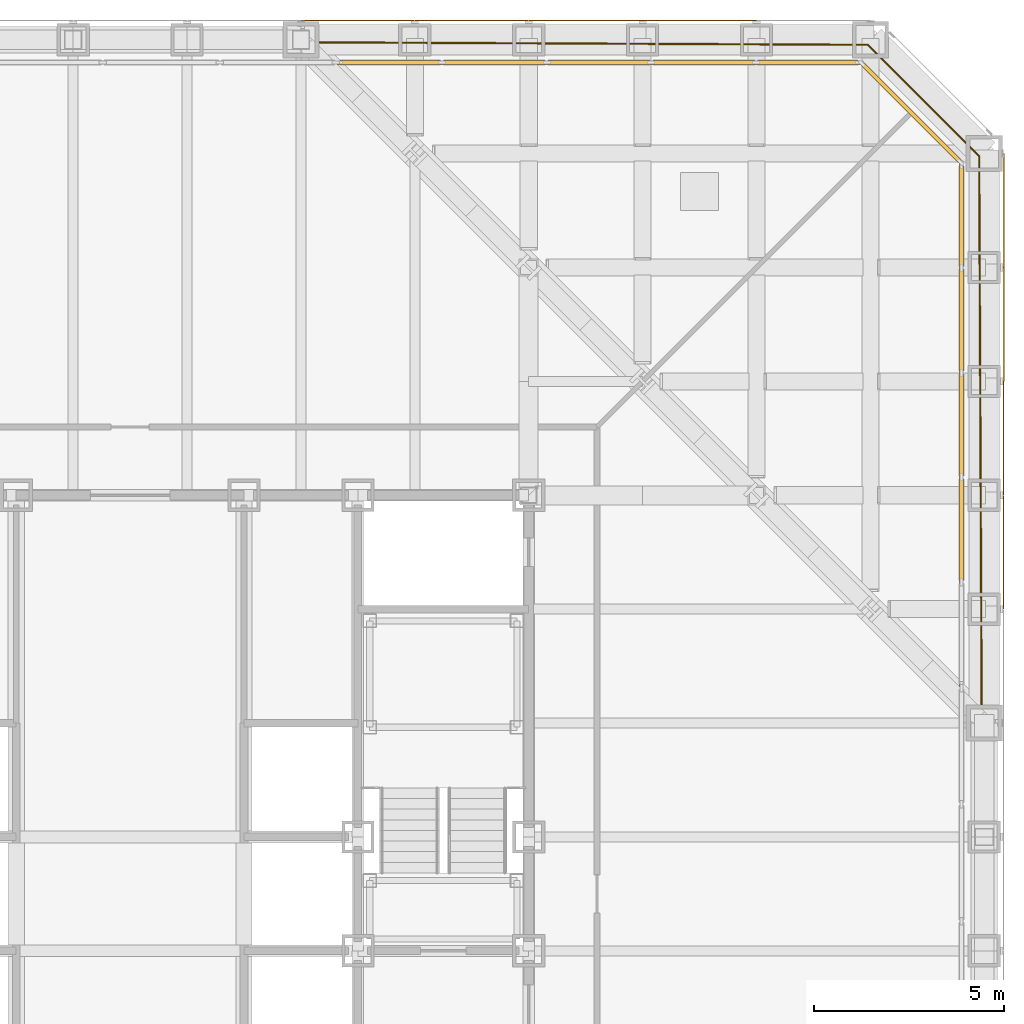
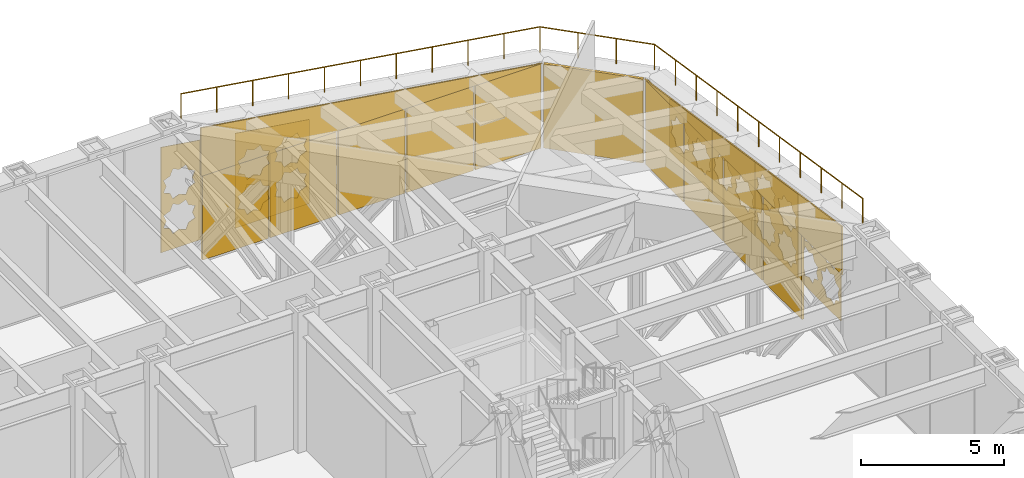
# One storey, part 30 of 31: 10 coverings, 10 shading devices, 1 railing, 3 elements without a shape of their own.
"""IFC4 building model written with IfcOpenShell, lengths in metres."""

from ifc_helpers import new_model, si_unit, direction, frame, origin, origin_2d, place, context, subcontext, project, spatial, polyline, rectangle, circle, outline, extrude, material, layer, layer_set, type_object, element, aggregate, save


model = new_model("IFC4")

# Units and contexts
model_context = context("Model", 3, precision=1e-05, world=origin(), true_north=direction((0.0, 1.0)))
body_context = subcontext(model_context, "Body", "Model", "MODEL_VIEW")
ifc_project = project(units=[si_unit("LENGTHUNIT", "METRE"), si_unit("AREAUNIT", "SQUARE_METRE"), si_unit("VOLUMEUNIT", "CUBIC_METRE"), si_unit("PLANEANGLEUNIT", "RADIAN"), si_unit("MASSUNIT", "GRAM", prefix="KILO")], contexts=[model_context])

# Site, building, storey
site_placement = place(None, origin())
site = spatial("IfcSite", under=ifc_project, at=site_placement, CompositionType="ELEMENT")
building_placement = place(site_placement, origin())
building = spatial("IfcBuilding", under=site, at=building_placement, Name="Chuquiago Exchange Tower", CompositionType="ELEMENT")
storey_placement = place(building_placement, frame((0.0, 0.0, 96.300048828125)))
storey = spatial("IfcBuildingStorey", under=building, at=storey_placement, Name="L20", CompositionType="ELEMENT", Elevation=96.300048828125)

# Curtain wall, shading devices
ifc_material_1 = material(Name="Aluminium curtain wall system", Category="aluminium")
ifc_layer_1 = layer(ifc_material_1, 0.199951171875)
ifc_layer_set_1 = layer_set([ifc_layer_1], Name="CW6 plant floor louvre wall")
curtain_wall_type = type_object("IfcCurtainWallType", Name="CW6 plant floor louvre wall", PredefinedType="NOTDEFINED", material=ifc_layer_set_1)
curtain_wall_1_placement = place(storey_placement, origin())
curtain_wall_1 = element("IfcCurtainWall", 1, at=curtain_wall_1_placement, inside=storey, type_object=curtain_wall_type, Name="CW6 curtain wall L20", PredefinedType="NOTDEFINED")
ifc_material_2 = material(Name="Aluminium louvre", Category="aluminium")
ifc_layer_2 = layer(ifc_material_2, 0.10009765625)
ifc_layer_set_2 = layer_set([ifc_layer_2], Name="CW6-P louvre panel 100")
shading_device_type = type_object("IfcShadingDeviceType", Name="CW6-P louvre panel 100", PredefinedType="USERDEFINED", material=ifc_layer_set_2)
shading_device_1_placement = place(storey_placement, frame((44.39990234375, 32.0927734375, 0.0751953125), z_axis=(0.0, 0.0, 1.0), x_axis=(0.0, 1.0, 0.0)))
shading_device_1 = element("IfcShadingDevice", 2, at=shading_device_1_placement, type_object=shading_device_type, Name="CW6 panel 2.1", ObjectType="LOUVER", PredefinedType="USERDEFINED", context=body_context, shape_type="SweptSolid", body=[
    extrude(rectangle(XDim=2.6845703125, YDim=0.10009765625, at=origin_2d()), origin(), (0.0, 0.0, 1.0), 3.593505859375),
])
shading_device_2_placement = place(storey_placement, frame((44.39990234375, 34.8525390625, 0.0751953125), z_axis=(0.0, 0.0, 1.0), x_axis=(0.0, 1.0, 0.0)))
shading_device_2 = element("IfcShadingDevice", 3, at=shading_device_2_placement, type_object=shading_device_type, Name="CW6 panel 3.1", ObjectType="LOUVER", PredefinedType="USERDEFINED", context=body_context, shape_type="SweptSolid", body=[
    extrude(rectangle(XDim=2.6845703125, YDim=0.10009765625, at=origin_2d()), origin(), (0.0, 0.0, 1.0), 3.593505859375),
])
shading_device_3_placement = place(storey_placement, frame((44.39990234375, 37.612060546875, 0.0751953125), z_axis=(0.0, 0.0, 1.0), x_axis=(0.0, 1.0, 0.0)))
shading_device_3 = element("IfcShadingDevice", 4, at=shading_device_3_placement, type_object=shading_device_type, Name="CW6 panel 4.1", ObjectType="LOUVER", PredefinedType="USERDEFINED", context=body_context, shape_type="SweptSolid", body=[
    extrude(rectangle(XDim=2.6845703125, YDim=0.10009765625, at=origin_2d()), origin(), (0.0, 0.0, 1.0), 3.593505859375),
])
shading_device_4_placement = place(storey_placement, frame((44.39990234375, 40.352783203125, 0.0751953125), z_axis=(0.0, 0.0, 1.0), x_axis=(0.0, 1.0, 0.0)))
shading_device_4 = element("IfcShadingDevice", 5, at=shading_device_4_placement, type_object=shading_device_type, Name="CW6 panel 5.1", ObjectType="LOUVER", PredefinedType="USERDEFINED", context=body_context, shape_type="SweptSolid", body=[
    extrude(rectangle(XDim=2.64697265625, YDim=0.10009765625, at=origin_2d()), origin(), (0.0, 0.0, 1.0), 3.593505859375),
])
aggregate(curtain_wall_1, [shading_device_1, shading_device_2, shading_device_3, shading_device_4])

# Curtain wall, shading device
curtain_wall_2_placement = place(storey_placement, origin())
curtain_wall_2 = element("IfcCurtainWall", 6, at=curtain_wall_2_placement, inside=storey, type_object=curtain_wall_type, Name="CW6 curtain wall L20", PredefinedType="NOTDEFINED")
shading_device_5_placement = place(storey_placement, frame((43.07568359375, 43.07568359375, 0.0751953125), z_axis=(0.0, 0.0, 1.0), x_axis=(-0.707106781187, 0.707106781187, 0.0)))
shading_device_5 = element("IfcShadingDevice", 7, at=shading_device_5_placement, type_object=shading_device_type, Name="CW6 panel 1.1", ObjectType="LOUVER", PredefinedType="USERDEFINED", context=body_context, shape_type="SweptSolid", body=[
    extrude(rectangle(XDim=3.595458984375, YDim=0.10009765625, at=origin_2d()), origin(), (0.0, 0.0, 1.0), 3.593505859375),
])
aggregate(curtain_wall_2, [shading_device_5])

# Curtain wall, shading devices
curtain_wall_3_placement = place(storey_placement, origin())
curtain_wall_3 = element("IfcCurtainWall", 8, at=curtain_wall_3_placement, inside=storey, type_object=curtain_wall_type, Name="CW6 curtain wall L20", PredefinedType="NOTDEFINED")
shading_device_6_placement = place(storey_placement, frame((40.35302734375, 44.39990234375, 0.0751953125), z_axis=(0.0, 0.0, 1.0), x_axis=(-1.0, 0.0, 0.0)))
shading_device_6 = element("IfcShadingDevice", 9, at=shading_device_6_placement, type_object=shading_device_type, Name="CW6 panel 1.1", ObjectType="LOUVER", PredefinedType="USERDEFINED", context=body_context, shape_type="SweptSolid", body=[
    extrude(rectangle(XDim=2.64697265625, YDim=0.10009765625, at=origin_2d()), origin(), (0.0, 0.0, 1.0), 3.593505859375),
])
shading_device_7_placement = place(storey_placement, frame((37.612060546875, 44.39990234375, 0.0751953125), z_axis=(0.0, 0.0, 1.0), x_axis=(-1.0, 0.0, 0.0)))
shading_device_7 = element("IfcShadingDevice", 10, at=shading_device_7_placement, type_object=shading_device_type, Name="CW6 panel 2.1", ObjectType="LOUVER", PredefinedType="USERDEFINED", context=body_context, shape_type="SweptSolid", body=[
    extrude(rectangle(XDim=2.6845703125, YDim=0.10009765625, at=origin_2d()), origin(), (0.0, 0.0, 1.0), 3.593505859375),
])
shading_device_8_placement = place(storey_placement, frame((34.8525390625, 44.39990234375, 0.0751953125), z_axis=(0.0, 0.0, 1.0), x_axis=(-1.0, 0.0, 0.0)))
shading_device_8 = element("IfcShadingDevice", 11, at=shading_device_8_placement, type_object=shading_device_type, Name="CW6 panel 3.1", ObjectType="LOUVER", PredefinedType="USERDEFINED", context=body_context, shape_type="SweptSolid", body=[
    extrude(rectangle(XDim=2.6845703125, YDim=0.10009765625, at=origin_2d()), origin(), (0.0, 0.0, 1.0), 3.593505859375),
])
shading_device_9_placement = place(storey_placement, frame((32.093017578125, 44.39990234375, 0.0751953125), z_axis=(0.0, 0.0, 1.0), x_axis=(-1.0, 0.0, 0.0)))
shading_device_9 = element("IfcShadingDevice", 12, at=shading_device_9_placement, type_object=shading_device_type, Name="CW6 panel 4.1", ObjectType="LOUVER", PredefinedType="USERDEFINED", context=body_context, shape_type="SweptSolid", body=[
    extrude(rectangle(XDim=2.6845703125, YDim=0.10009765625, at=origin_2d()), origin(), (0.0, 0.0, 1.0), 3.593505859375),
])
shading_device_10_placement = place(storey_placement, frame((29.35205078125, 44.39990234375, 0.0751953125), z_axis=(0.0, 0.0, 1.0), x_axis=(-1.0, 0.0, 0.0)))
shading_device_10 = element("IfcShadingDevice", 13, at=shading_device_10_placement, type_object=shading_device_type, Name="CW6 panel 5.1", ObjectType="LOUVER", PredefinedType="USERDEFINED", context=body_context, shape_type="SweptSolid", body=[
    extrude(rectangle(XDim=2.64697265625, YDim=0.10009765625, at=origin_2d()), origin(), (0.0, 0.0, 1.0), 3.593505859375),
])
aggregate(curtain_wall_3, [shading_device_6, shading_device_7, shading_device_8, shading_device_9, shading_device_10])

# Coverings
ifc_material_3 = material(Name="Pale metal insulated fascia panel", Category="aluminium")
ifc_layer_3 = layer(ifc_material_3, 0.050048828125)
ifc_layer_set_3 = layer_set([ifc_layer_3], Name="FX1 raked fascia panel 50")
covering_type_1 = type_object("IfcCoveringType", Name="FX1 raked fascia panel 50", PredefinedType="CLADDING", material=ifc_layer_set_3)
covering_1_placement = place(storey_placement, frame((44.39990234375, 27.95361328125, 3.66845703125), z_axis=(1.0, 0.0, 0.0), x_axis=(0.0, 1.0, 0.0)))
element("IfcCovering", 14, at=covering_1_placement, inside=storey, type_object=covering_type_1, Name="Raked fascia L20 E under the NE facet roof", PredefinedType="CLADDING", context=body_context, shape_type="SweptSolid", body=[
    extrude(outline(polyline([(0.0, 0.0), (13.7978515625, 0.0), (0.0, 2.073974609375), (0.0, 0.0)])), origin(), (0.0, 0.0, -1.0), 0.050048828125),
])
covering_2_placement = place(storey_placement, frame((41.75146484375, 44.39990234375, 3.66845703125), z_axis=(0.0, 1.0, 0.0), x_axis=(-1.0, 0.0, 0.0)))
element("IfcCovering", 15, at=covering_2_placement, inside=storey, type_object=covering_type_1, Name="Raked fascia L20 N under the NE facet roof", PredefinedType="CLADDING", context=body_context, shape_type="SweptSolid", body=[
    extrude(outline(polyline([(0.0, 0.0), (13.7978515625, 0.0), (13.7978515625, 2.073974609375), (0.0, 0.0)])), origin(), (0.0, 0.0, -1.0), 0.050048828125),
])
ifc_material_4 = material(Name="Anodised aluminium, pale", Category="aluminium")
ifc_layer_4 = layer(ifc_material_4, 0.02001953125)
ifc_layer_set_4 = layer_set([ifc_layer_4], Name="GC1 girih cladding panel 20")
covering_type_2 = type_object("IfcCoveringType", Name="GC1 girih cladding panel 20", PredefinedType="CLADDING", material=ifc_layer_set_4)
covering_3_placement = place(storey_placement, frame((45.5, 30.0048828125, 0.050048828125), z_axis=(0.0, 0.0, 1.0), x_axis=(0.0, 1.0, 0.0)))
element("IfcCovering", 16, at=covering_3_placement, inside=storey, type_object=covering_type_2, Name="Girih cladding panel L20 E 10", PredefinedType="CLADDING", context=body_context, shape_type="SweptSolid", body=[
    extrude(outline(polyline([(0.0, 0.0), (2.989990234375, 0.0), (2.989990234375, 3.598876953125), (0.0, 4.048095703125), (0.0, 0.0)]), holes=[polyline([(1.27392578125, 1.052001953125), (1.3828125, 1.315185546875), (1.11962890625, 1.424072265625), (1.0107421875, 1.687255859375), (0.74755859375, 1.578369140625), (0.484375, 1.687255859375), (0.375244140625, 1.424072265625), (0.112060546875, 1.315185546875), (0.22119140625, 1.052001953125), (0.112060546875, 0.788818359375), (0.375244140625, 0.6796875), (0.484375, 0.41650390625), (0.74755859375, 0.525390625), (1.0107421875, 0.41650390625), (1.11962890625, 0.6796875), (1.3828125, 0.788818359375), (1.27392578125, 1.052001953125)]), polyline([(2.768798828125, 1.052001953125), (2.8779296875, 1.315185546875), (2.61474609375, 1.424072265625), (2.505615234375, 1.687255859375), (2.242431640625, 1.578369140625), (1.979248046875, 1.687255859375), (1.870361328125, 1.424072265625), (1.607177734375, 1.315185546875), (1.716064453125, 1.052001953125), (1.607177734375, 0.788818359375), (1.870361328125, 0.6796875), (1.979248046875, 0.41650390625), (2.242431640625, 0.525390625), (2.505615234375, 0.41650390625), (2.61474609375, 0.6796875), (2.8779296875, 0.788818359375), (2.768798828125, 1.052001953125)]), polyline([(1.27392578125, 2.546875), (1.3828125, 2.81005859375), (1.11962890625, 2.919189453125), (1.0107421875, 3.182373046875), (0.74755859375, 3.0732421875), (0.484375, 3.182373046875), (0.375244140625, 2.919189453125), (0.112060546875, 2.81005859375), (0.22119140625, 2.546875), (0.112060546875, 2.28369140625), (0.375244140625, 2.1748046875), (0.484375, 1.91162109375), (0.74755859375, 2.0205078125), (1.0107421875, 1.91162109375), (1.11962890625, 2.1748046875), (1.3828125, 2.28369140625), (1.27392578125, 2.546875)]), polyline([(2.768798828125, 2.546875), (2.8779296875, 2.81005859375), (2.61474609375, 2.919189453125), (2.505615234375, 3.182373046875), (2.242431640625, 3.0732421875), (1.979248046875, 3.182373046875), (1.870361328125, 2.919189453125), (1.607177734375, 2.81005859375), (1.716064453125, 2.546875), (1.607177734375, 2.28369140625), (1.870361328125, 2.1748046875), (1.979248046875, 1.91162109375), (2.242431640625, 2.0205078125), (2.505615234375, 1.91162109375), (2.61474609375, 2.1748046875), (2.8779296875, 2.28369140625), (2.768798828125, 2.546875)])]), frame((0.0, 0.0, 0.0), z_axis=(0.0, -1.0, 0.0), x_axis=(1.0, 0.0, 0.0)), (0.0, 0.0, 1.0), 0.02001953125),
])
covering_4_placement = place(storey_placement, frame((45.5, 33.0048828125, 0.050048828125), z_axis=(0.0, 0.0, 1.0), x_axis=(0.0, 1.0, 0.0)))
element("IfcCovering", 17, at=covering_4_placement, inside=storey, type_object=covering_type_2, Name="Girih cladding panel L20 E 11", PredefinedType="CLADDING", context=body_context, shape_type="SweptSolid", body=[
    extrude(outline(polyline([(0.0, 0.0), (2.989990234375, 0.0), (2.989990234375, 3.14794921875), (0.0, 3.597412109375), (0.0, 0.0)]), holes=[polyline([(1.27392578125, 0.826416015625), (1.3828125, 1.089599609375), (1.11962890625, 1.198486328125), (1.0107421875, 1.4619140625), (0.74755859375, 1.352783203125), (0.484375, 1.4619140625), (0.375244140625, 1.198486328125), (0.112060546875, 1.089599609375), (0.22119140625, 0.826416015625), (0.112060546875, 0.563232421875), (0.375244140625, 0.454345703125), (0.484375, 0.191162109375), (0.74755859375, 0.300048828125), (1.0107421875, 0.191162109375), (1.11962890625, 0.454345703125), (1.3828125, 0.563232421875), (1.27392578125, 0.826416015625)]), polyline([(2.768798828125, 0.826416015625), (2.8779296875, 1.089599609375), (2.61474609375, 1.198486328125), (2.505615234375, 1.4619140625), (2.242431640625, 1.352783203125), (1.979248046875, 1.4619140625), (1.870361328125, 1.198486328125), (1.607177734375, 1.089599609375), (1.716064453125, 0.826416015625), (1.607177734375, 0.563232421875), (1.870361328125, 0.454345703125), (1.979248046875, 0.191162109375), (2.242431640625, 0.300048828125), (2.505615234375, 0.191162109375), (2.61474609375, 0.454345703125), (2.8779296875, 0.563232421875), (2.768798828125, 0.826416015625)]), polyline([(1.27392578125, 2.3212890625), (1.3828125, 2.584716796875), (1.11962890625, 2.693603515625), (1.0107421875, 2.956787109375), (0.74755859375, 2.847900390625), (0.484375, 2.956787109375), (0.375244140625, 2.693603515625), (0.112060546875, 2.584716796875), (0.22119140625, 2.3212890625), (0.112060546875, 2.058349609375), (0.375244140625, 1.94921875), (0.484375, 1.68603515625), (0.74755859375, 1.795166015625), (1.0107421875, 1.68603515625), (1.11962890625, 1.94921875), (1.3828125, 2.058349609375), (1.27392578125, 2.3212890625)]), polyline([(2.768798828125, 2.3212890625), (2.8779296875, 2.584716796875), (2.61474609375, 2.693603515625), (2.505615234375, 2.956787109375), (2.242431640625, 2.847900390625), (1.979248046875, 2.956787109375), (1.870361328125, 2.693603515625), (1.607177734375, 2.584716796875), (1.716064453125, 2.3212890625), (1.607177734375, 2.058349609375), (1.870361328125, 1.94921875), (1.979248046875, 1.68603515625), (2.242431640625, 1.795166015625), (2.505615234375, 1.68603515625), (2.61474609375, 1.94921875), (2.8779296875, 2.058349609375), (2.768798828125, 2.3212890625)])]), frame((0.0, 0.0, 0.0), z_axis=(0.0, -1.0, 0.0), x_axis=(1.0, 0.0, 0.0)), (0.0, 0.0, 1.0), 0.02001953125),
])
covering_5_placement = place(storey_placement, frame((45.5, 36.0048828125, 0.050048828125), z_axis=(0.0, 0.0, 1.0), x_axis=(0.0, 1.0, 0.0)))
element("IfcCovering", 18, at=covering_5_placement, inside=storey, type_object=covering_type_2, Name="Girih cladding panel L20 E 12", PredefinedType="CLADDING", context=body_context, shape_type="SweptSolid", body=[
    extrude(outline(polyline([(0.0, 0.0), (2.989990234375, 0.0), (2.989990234375, 2.697021484375), (0.0, 3.146484375), (0.0, 0.0)]), holes=[polyline([(1.27392578125, 1.348388671875), (1.3828125, 1.61181640625), (1.11962890625, 1.720703125), (1.0107421875, 1.98388671875), (0.74755859375, 1.875), (0.484375, 1.98388671875), (0.375244140625, 1.720703125), (0.112060546875, 1.61181640625), (0.22119140625, 1.348388671875), (0.112060546875, 1.085205078125), (0.375244140625, 0.976318359375), (0.484375, 0.713134765625), (0.74755859375, 0.822021484375), (1.0107421875, 0.713134765625), (1.11962890625, 0.976318359375), (1.3828125, 1.085205078125), (1.27392578125, 1.348388671875)]), polyline([(2.768798828125, 1.348388671875), (2.8779296875, 1.61181640625), (2.61474609375, 1.720703125), (2.505615234375, 1.98388671875), (2.242431640625, 1.875), (1.979248046875, 1.98388671875), (1.870361328125, 1.720703125), (1.607177734375, 1.61181640625), (1.716064453125, 1.348388671875), (1.607177734375, 1.085205078125), (1.870361328125, 0.976318359375), (1.979248046875, 0.713134765625), (2.242431640625, 0.822021484375), (2.505615234375, 0.713134765625), (2.61474609375, 0.976318359375), (2.8779296875, 1.085205078125), (2.768798828125, 1.348388671875)])]), frame((0.0, 0.0, 0.0), z_axis=(0.0, -1.0, 0.0), x_axis=(1.0, 0.0, 0.0)), (0.0, 0.0, 1.0), 0.02001953125),
])
covering_6_placement = place(storey_placement, frame((45.5, 39.0048828125, 0.050048828125), z_axis=(0.0, 0.0, 1.0), x_axis=(0.0, 1.0, 0.0)))
element("IfcCovering", 19, at=covering_6_placement, inside=storey, type_object=covering_type_2, Name="Girih cladding panel L20 E 13", PredefinedType="CLADDING", context=body_context, shape_type="SweptSolid", body=[
    extrude(outline(polyline([(0.0, 0.0), (2.989990234375, 0.0), (2.989990234375, 2.24609375), (0.0, 2.695556640625), (0.0, 0.0)]), holes=[polyline([(1.27392578125, 1.123046875), (1.3828125, 1.38623046875), (1.11962890625, 1.4951171875), (1.0107421875, 1.75830078125), (0.74755859375, 1.6494140625), (0.484375, 1.75830078125), (0.375244140625, 1.4951171875), (0.112060546875, 1.38623046875), (0.22119140625, 1.123046875), (0.112060546875, 0.85986328125), (0.375244140625, 0.7509765625), (0.484375, 0.48779296875), (0.74755859375, 0.5966796875), (1.0107421875, 0.48779296875), (1.11962890625, 0.7509765625), (1.3828125, 0.85986328125), (1.27392578125, 1.123046875)]), polyline([(2.768798828125, 1.123046875), (2.8779296875, 1.38623046875), (2.61474609375, 1.4951171875), (2.505615234375, 1.75830078125), (2.242431640625, 1.6494140625), (1.979248046875, 1.75830078125), (1.870361328125, 1.4951171875), (1.607177734375, 1.38623046875), (1.716064453125, 1.123046875), (1.607177734375, 0.85986328125), (1.870361328125, 0.7509765625), (1.979248046875, 0.48779296875), (2.242431640625, 0.5966796875), (2.505615234375, 0.48779296875), (2.61474609375, 0.7509765625), (2.8779296875, 0.85986328125), (2.768798828125, 1.123046875)])]), frame((0.0, 0.0, 0.0), z_axis=(0.0, -1.0, 0.0), x_axis=(1.0, 0.0, 0.0)), (0.0, 0.0, 1.0), 0.02001953125),
])
covering_7_placement = place(storey_placement, frame((38.9951171875, 45.5, 0.050048828125), z_axis=(0.0, 0.0, 1.0), x_axis=(-1.0, 0.0, 0.0)))
element("IfcCovering", 20, at=covering_7_placement, inside=storey, type_object=covering_type_2, Name="Girih cladding panel L20 N 2", PredefinedType="CLADDING", context=body_context, shape_type="SweptSolid", body=[
    extrude(outline(polyline([(0.0, 0.0), (2.989990234375, 0.0), (2.989990234375, 3.146484375), (0.0, 2.697021484375), (0.0, 0.0)]), holes=[polyline([(1.27392578125, 1.348388671875), (1.3828125, 1.61181640625), (1.11962890625, 1.720703125), (1.0107421875, 1.98388671875), (0.74755859375, 1.875), (0.484375, 1.98388671875), (0.375244140625, 1.720703125), (0.112060546875, 1.61181640625), (0.22119140625, 1.348388671875), (0.112060546875, 1.085205078125), (0.375244140625, 0.976318359375), (0.484375, 0.713134765625), (0.74755859375, 0.822021484375), (1.0107421875, 0.713134765625), (1.11962890625, 0.976318359375), (1.3828125, 1.085205078125), (1.27392578125, 1.348388671875)]), polyline([(2.768798828125, 1.348388671875), (2.8779296875, 1.61181640625), (2.61474609375, 1.720703125), (2.505615234375, 1.98388671875), (2.242431640625, 1.875), (1.979248046875, 1.98388671875), (1.870361328125, 1.720703125), (1.607177734375, 1.61181640625), (1.716064453125, 1.348388671875), (1.607177734375, 1.085205078125), (1.870361328125, 0.976318359375), (1.979248046875, 0.713134765625), (2.242431640625, 0.822021484375), (2.505615234375, 0.713134765625), (2.61474609375, 0.976318359375), (2.8779296875, 1.085205078125), (2.768798828125, 1.348388671875)])]), frame((0.0, 0.0, 0.0), z_axis=(0.0, -1.0, 0.0), x_axis=(1.0, 0.0, 0.0)), (0.0, 0.0, 1.0), 0.02001953125),
])
covering_8_placement = place(storey_placement, frame((35.9951171875, 45.5, 0.050048828125), z_axis=(0.0, 0.0, 1.0), x_axis=(-1.0, 0.0, 0.0)))
element("IfcCovering", 21, at=covering_8_placement, inside=storey, type_object=covering_type_2, Name="Girih cladding panel L20 N 3", PredefinedType="CLADDING", context=body_context, shape_type="SweptSolid", body=[
    extrude(outline(polyline([(0.0, 0.0), (2.989990234375, 0.0), (2.989990234375, 3.597412109375), (0.0, 3.14794921875), (0.0, 0.0)]), holes=[polyline([(1.27392578125, 0.826416015625), (1.3828125, 1.089599609375), (1.11962890625, 1.198486328125), (1.0107421875, 1.4619140625), (0.74755859375, 1.352783203125), (0.484375, 1.4619140625), (0.375244140625, 1.198486328125), (0.112060546875, 1.089599609375), (0.22119140625, 0.826416015625), (0.112060546875, 0.563232421875), (0.375244140625, 0.454345703125), (0.484375, 0.191162109375), (0.74755859375, 0.300048828125), (1.0107421875, 0.191162109375), (1.11962890625, 0.454345703125), (1.3828125, 0.563232421875), (1.27392578125, 0.826416015625)]), polyline([(2.768798828125, 0.826416015625), (2.8779296875, 1.089599609375), (2.61474609375, 1.198486328125), (2.505615234375, 1.4619140625), (2.242431640625, 1.352783203125), (1.979248046875, 1.4619140625), (1.870361328125, 1.198486328125), (1.607177734375, 1.089599609375), (1.716064453125, 0.826416015625), (1.607177734375, 0.563232421875), (1.870361328125, 0.454345703125), (1.979248046875, 0.191162109375), (2.242431640625, 0.300048828125), (2.505615234375, 0.191162109375), (2.61474609375, 0.454345703125), (2.8779296875, 0.563232421875), (2.768798828125, 0.826416015625)]), polyline([(1.27392578125, 2.3212890625), (1.3828125, 2.584716796875), (1.11962890625, 2.693603515625), (1.0107421875, 2.956787109375), (0.74755859375, 2.847900390625), (0.484375, 2.956787109375), (0.375244140625, 2.693603515625), (0.112060546875, 2.584716796875), (0.22119140625, 2.3212890625), (0.112060546875, 2.058349609375), (0.375244140625, 1.94921875), (0.484375, 1.68603515625), (0.74755859375, 1.795166015625), (1.0107421875, 1.68603515625), (1.11962890625, 1.94921875), (1.3828125, 2.058349609375), (1.27392578125, 2.3212890625)]), polyline([(2.768798828125, 2.3212890625), (2.8779296875, 2.584716796875), (2.61474609375, 2.693603515625), (2.505615234375, 2.956787109375), (2.242431640625, 2.847900390625), (1.979248046875, 2.956787109375), (1.870361328125, 2.693603515625), (1.607177734375, 2.584716796875), (1.716064453125, 2.3212890625), (1.607177734375, 2.058349609375), (1.870361328125, 1.94921875), (1.979248046875, 1.68603515625), (2.242431640625, 1.795166015625), (2.505615234375, 1.68603515625), (2.61474609375, 1.94921875), (2.8779296875, 2.058349609375), (2.768798828125, 2.3212890625)])]), frame((0.0, 0.0, 0.0), z_axis=(0.0, -1.0, 0.0), x_axis=(1.0, 0.0, 0.0)), (0.0, 0.0, 1.0), 0.02001953125),
])
covering_9_placement = place(storey_placement, frame((32.9951171875, 45.5, 0.050048828125), z_axis=(0.0, 0.0, 1.0), x_axis=(-1.0, 0.0, 0.0)))
element("IfcCovering", 22, at=covering_9_placement, inside=storey, type_object=covering_type_2, Name="Girih cladding panel L20 N 4", PredefinedType="CLADDING", context=body_context, shape_type="SweptSolid", body=[
    extrude(outline(polyline([(0.0, 0.0), (2.989990234375, 0.0), (2.989990234375, 4.048095703125), (0.0, 3.598876953125), (0.0, 0.0)]), holes=[polyline([(1.27392578125, 1.052001953125), (1.3828125, 1.315185546875), (1.11962890625, 1.424072265625), (1.0107421875, 1.687255859375), (0.74755859375, 1.578369140625), (0.484375, 1.687255859375), (0.375244140625, 1.424072265625), (0.112060546875, 1.315185546875), (0.22119140625, 1.052001953125), (0.112060546875, 0.788818359375), (0.375244140625, 0.6796875), (0.484375, 0.41650390625), (0.74755859375, 0.525390625), (1.0107421875, 0.41650390625), (1.11962890625, 0.6796875), (1.3828125, 0.788818359375), (1.27392578125, 1.052001953125)]), polyline([(2.768798828125, 1.052001953125), (2.8779296875, 1.315185546875), (2.61474609375, 1.424072265625), (2.505615234375, 1.687255859375), (2.242431640625, 1.578369140625), (1.979248046875, 1.687255859375), (1.870361328125, 1.424072265625), (1.607177734375, 1.315185546875), (1.716064453125, 1.052001953125), (1.607177734375, 0.788818359375), (1.870361328125, 0.6796875), (1.979248046875, 0.41650390625), (2.242431640625, 0.525390625), (2.505615234375, 0.41650390625), (2.61474609375, 0.6796875), (2.8779296875, 0.788818359375), (2.768798828125, 1.052001953125)]), polyline([(1.27392578125, 2.546875), (1.3828125, 2.81005859375), (1.11962890625, 2.919189453125), (1.0107421875, 3.182373046875), (0.74755859375, 3.0732421875), (0.484375, 3.182373046875), (0.375244140625, 2.919189453125), (0.112060546875, 2.81005859375), (0.22119140625, 2.546875), (0.112060546875, 2.28369140625), (0.375244140625, 2.1748046875), (0.484375, 1.91162109375), (0.74755859375, 2.0205078125), (1.0107421875, 1.91162109375), (1.11962890625, 2.1748046875), (1.3828125, 2.28369140625), (1.27392578125, 2.546875)]), polyline([(2.768798828125, 2.546875), (2.8779296875, 2.81005859375), (2.61474609375, 2.919189453125), (2.505615234375, 3.182373046875), (2.242431640625, 3.0732421875), (1.979248046875, 3.182373046875), (1.870361328125, 2.919189453125), (1.607177734375, 2.81005859375), (1.716064453125, 2.546875), (1.607177734375, 2.28369140625), (1.870361328125, 2.1748046875), (1.979248046875, 1.91162109375), (2.242431640625, 2.0205078125), (2.505615234375, 1.91162109375), (2.61474609375, 2.1748046875), (2.8779296875, 2.28369140625), (2.768798828125, 2.546875)])]), frame((0.0, 0.0, 0.0), z_axis=(0.0, -1.0, 0.0), x_axis=(1.0, 0.0, 0.0)), (0.0, 0.0, 1.0), 0.02001953125),
])
covering_10_placement = place(storey_placement, frame((29.9951171875, 45.5, 0.050048828125), z_axis=(0.0, 0.0, 1.0), x_axis=(-1.0, 0.0, 0.0)))
element("IfcCovering", 23, at=covering_10_placement, inside=storey, type_object=covering_type_2, Name="Girih cladding panel L20 N 5", PredefinedType="CLADDING", context=body_context, shape_type="SweptSolid", body=[
    extrude(outline(polyline([(0.0, 0.0), (2.989990234375, 0.0), (2.989990234375, 4.4990234375), (0.0, 4.0498046875), (0.0, 0.0)]), holes=[polyline([(1.27392578125, 1.27734375), (1.3828125, 1.54052734375), (1.11962890625, 1.6494140625), (1.0107421875, 1.91259765625), (0.74755859375, 1.8037109375), (0.484375, 1.91259765625), (0.375244140625, 1.6494140625), (0.112060546875, 1.54052734375), (0.22119140625, 1.27734375), (0.112060546875, 1.01416015625), (0.375244140625, 0.9052734375), (0.484375, 0.64208984375), (0.74755859375, 0.7509765625), (1.0107421875, 0.64208984375), (1.11962890625, 0.9052734375), (1.3828125, 1.01416015625), (1.27392578125, 1.27734375)]), polyline([(2.768798828125, 1.27734375), (2.8779296875, 1.54052734375), (2.61474609375, 1.6494140625), (2.505615234375, 1.91259765625), (2.242431640625, 1.8037109375), (1.979248046875, 1.91259765625), (1.870361328125, 1.6494140625), (1.607177734375, 1.54052734375), (1.716064453125, 1.27734375), (1.607177734375, 1.01416015625), (1.870361328125, 0.9052734375), (1.979248046875, 0.64208984375), (2.242431640625, 0.7509765625), (2.505615234375, 0.64208984375), (2.61474609375, 0.9052734375), (2.8779296875, 1.01416015625), (2.768798828125, 1.27734375)]), polyline([(1.27392578125, 2.7724609375), (1.3828125, 3.035400390625), (1.11962890625, 3.14453125), (1.0107421875, 3.40771484375), (0.74755859375, 3.298583984375), (0.484375, 3.40771484375), (0.375244140625, 3.14453125), (0.112060546875, 3.035400390625), (0.22119140625, 2.7724609375), (0.112060546875, 2.50927734375), (0.375244140625, 2.400146484375), (0.484375, 2.136962890625), (0.74755859375, 2.24609375), (1.0107421875, 2.136962890625), (1.11962890625, 2.400146484375), (1.3828125, 2.50927734375), (1.27392578125, 2.7724609375)]), polyline([(2.768798828125, 2.7724609375), (2.8779296875, 3.035400390625), (2.61474609375, 3.14453125), (2.505615234375, 3.40771484375), (2.242431640625, 3.298583984375), (1.979248046875, 3.40771484375), (1.870361328125, 3.14453125), (1.607177734375, 3.035400390625), (1.716064453125, 2.7724609375), (1.607177734375, 2.50927734375), (1.870361328125, 2.400146484375), (1.979248046875, 2.136962890625), (2.242431640625, 2.24609375), (2.505615234375, 2.136962890625), (2.61474609375, 2.400146484375), (2.8779296875, 2.50927734375), (2.768798828125, 2.7724609375)])]), frame((0.0, 0.0, 0.0), z_axis=(0.0, -1.0, 0.0), x_axis=(1.0, 0.0, 0.0)), (0.0, 0.0, 1.0), 0.02001953125),
])

# Railing
ifc_material_5 = material(Name="Galvanised steel guard", Category="steel")
railing_type = type_object("IfcRailingType", Name="GR2 roof guard 1100", PredefinedType="GUARDRAIL", material=ifc_material_5)
railing_placement = place(storey_placement, frame((27.48681640625, 44.930908203125, 5.937255859375)))
element("IfcRailing", 24, at=railing_placement, inside=storey, type_object=railing_type, Name="Facet roof L20 NE guard, maintenance access only", PredefinedType="GUARDRAIL", context=body_context, shape_type="SweptSolid", body=[
    extrude(circle(Radius=0.02392578125, at=origin_2d()), frame((0.0, 0.0, 1.076171875), z_axis=(0.98897923352, -0.004445977288, -0.147987529721), x_axis=(0.004495475953, 0.999989895297, 0.0)), (0.0, 0.0, 1.0), 14.606689453125),
    extrude(circle(Radius=0.02392578125, at=origin_2d()), frame((14.44580078125, -0.06494140625, -1.08544921875), z_axis=(0.707106781187, -0.707106781187, 0.0), x_axis=(0.707106781187, 0.707106781187, 0.0)), (0.0, 0.0, 1.0), 4.1484375),
    extrude(circle(Radius=0.02392578125, at=origin_2d()), frame((17.379150390625, -2.998291015625, -1.08544921875), z_axis=(0.004445977288, -0.98897923352, 0.147987529721), x_axis=(0.999989895297, 0.004495475953, 0.0)), (0.0, 0.0, 1.0), 14.606689453125),
    extrude(circle(Radius=0.02099609375, at=origin_2d()), origin(), (0.0, 0.0, 1.0), 1.052001953125),
    extrude(circle(Radius=0.02099609375, at=origin_2d()), frame((1.444580078125, -0.006591796875, -0.216064453125)), (0.0, 0.0, 1.0), 1.052001953125),
    extrude(circle(Radius=0.02099609375, at=origin_2d()), frame((2.88916015625, -0.012939453125, -0.432373046875)), (0.0, 0.0, 1.0), 1.052001953125),
    extrude(circle(Radius=0.02099609375, at=origin_2d()), frame((4.333740234375, -0.01953125, -0.6484375)), (0.0, 0.0, 1.0), 1.052001953125),
    extrude(circle(Radius=0.02099609375, at=origin_2d()), frame((5.7783203125, -0.02587890625, -0.86474609375)), (0.0, 0.0, 1.0), 1.052001953125),
    extrude(circle(Radius=0.02099609375, at=origin_2d()), frame((7.222900390625, -0.032470703125, -1.080810546875)), (0.0, 0.0, 1.0), 1.052001953125),
    extrude(circle(Radius=0.02099609375, at=origin_2d()), frame((8.66748046875, -0.0390625, -1.296875)), (0.0, 0.0, 1.0), 1.052001953125),
    extrude(circle(Radius=0.02099609375, at=origin_2d()), frame((10.112060546875, -0.04541015625, -1.51318359375)), (0.0, 0.0, 1.0), 1.052001953125),
    extrude(circle(Radius=0.02099609375, at=origin_2d()), frame((11.556640625, -0.052001953125, -1.729248046875)), (0.0, 0.0, 1.0), 1.052001953125),
    extrude(circle(Radius=0.02099609375, at=origin_2d()), frame((13.001220703125, -0.058349609375, -1.945556640625)), (0.0, 0.0, 1.0), 1.052001953125),
    extrude(circle(Radius=0.02099609375, at=origin_2d()), frame((14.44580078125, -0.06494140625, -2.16162109375)), (0.0, 0.0, 1.0), 1.052001953125),
    extrude(circle(Radius=0.02099609375, at=origin_2d()), frame((15.423583984375, -1.042724609375, -2.16162109375)), (0.0, 0.0, 1.0), 1.052001953125),
    extrude(circle(Radius=0.02099609375, at=origin_2d()), frame((16.4013671875, -2.0205078125, -2.16162109375)), (0.0, 0.0, 1.0), 1.052001953125),
    extrude(circle(Radius=0.02099609375, at=origin_2d()), frame((17.379150390625, -2.998291015625, -2.16162109375)), (0.0, 0.0, 1.0), 1.052001953125),
    extrude(circle(Radius=0.02099609375, at=origin_2d()), frame((17.3857421875, -4.44287109375, -1.945556640625)), (0.0, 0.0, 1.0), 1.052001953125),
    extrude(circle(Radius=0.02099609375, at=origin_2d()), frame((17.39208984375, -5.887451171875, -1.729248046875)), (0.0, 0.0, 1.0), 1.052001953125),
    extrude(circle(Radius=0.02099609375, at=origin_2d()), frame((17.398681640625, -7.33203125, -1.51318359375)), (0.0, 0.0, 1.0), 1.052001953125),
    extrude(circle(Radius=0.02099609375, at=origin_2d()), frame((17.405029296875, -8.776611328125, -1.296875)), (0.0, 0.0, 1.0), 1.052001953125),
    extrude(circle(Radius=0.02099609375, at=origin_2d()), frame((17.41162109375, -10.22119140625, -1.080810546875)), (0.0, 0.0, 1.0), 1.052001953125),
    extrude(circle(Radius=0.02099609375, at=origin_2d()), frame((17.418212890625, -11.665771484375, -0.86474609375)), (0.0, 0.0, 1.0), 1.052001953125),
    extrude(circle(Radius=0.02099609375, at=origin_2d()), frame((17.424560546875, -13.1103515625, -0.6484375)), (0.0, 0.0, 1.0), 1.052001953125),
    extrude(circle(Radius=0.02099609375, at=origin_2d()), frame((17.43115234375, -14.554931640625, -0.432373046875)), (0.0, 0.0, 1.0), 1.052001953125),
    extrude(circle(Radius=0.02099609375, at=origin_2d()), frame((17.4375, -15.99951171875, -0.216064453125)), (0.0, 0.0, 1.0), 1.052001953125),
    extrude(circle(Radius=0.02099609375, at=origin_2d()), frame((17.444091796875, -17.444091796875, 0.0)), (0.0, 0.0, 1.0), 1.052001953125),
])

save(model, "model.ifc")
